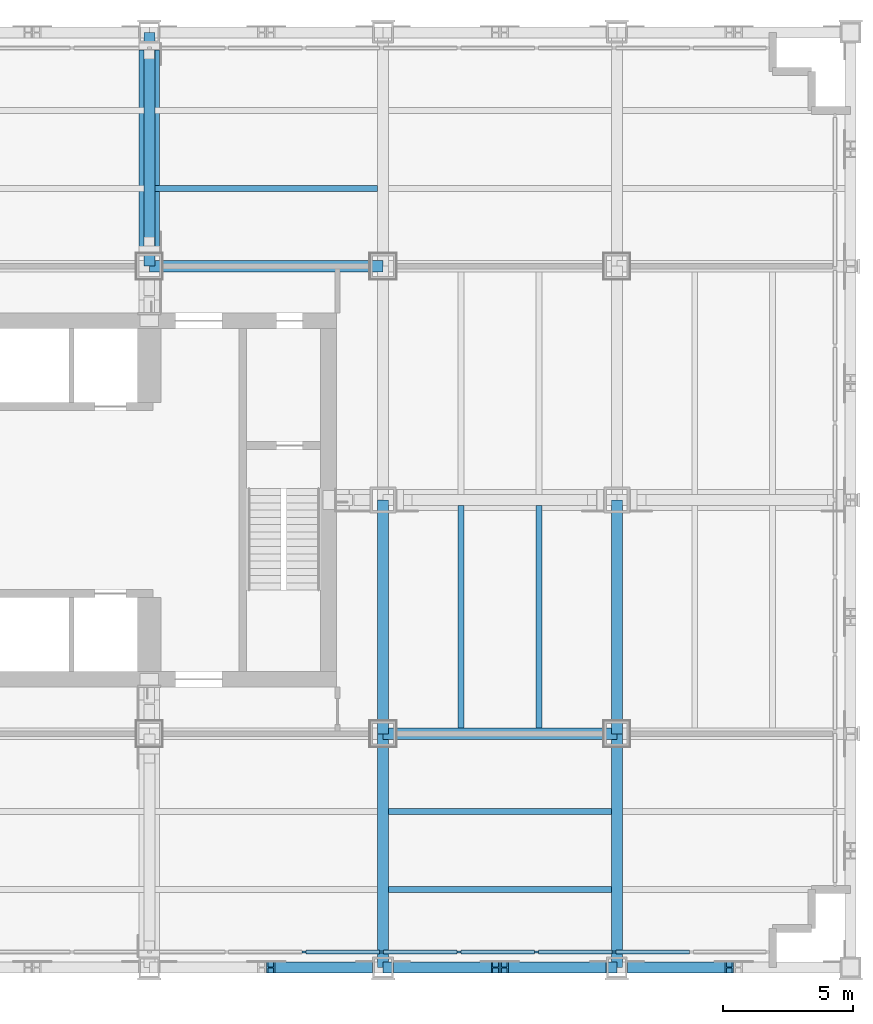
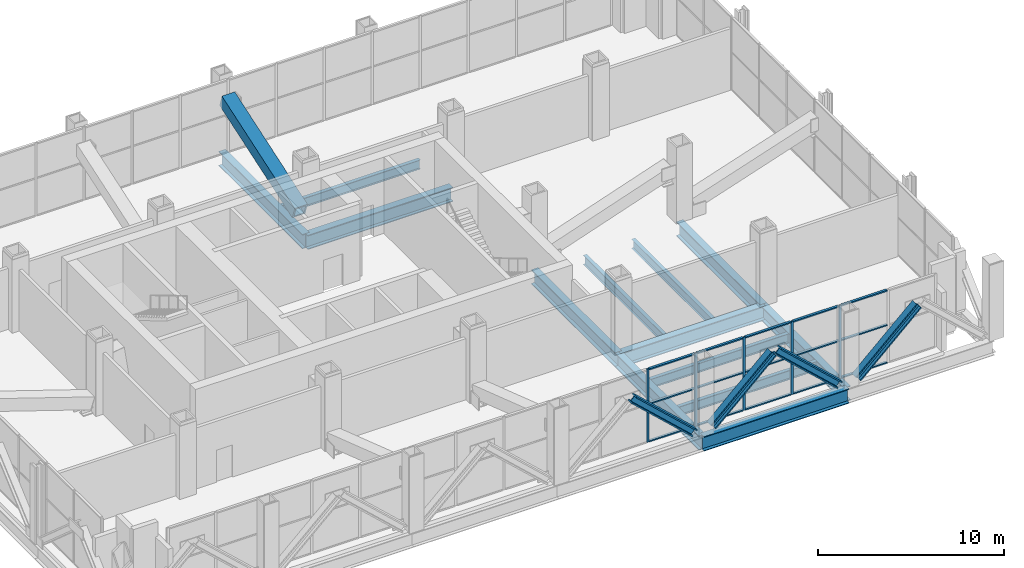
# One storey, part 5 of 19: 25 members, 13 beams, 1 element without a shape of its own.
"""IFC4 building model written with IfcOpenShell, lengths in metres."""

from ifc_helpers import new_model, si_unit, direction, frame, origin, origin_2d, place, context, subcontext, project, spatial, rectangle, hollow_rectangle, i_section, extrude, material, material_profile, profile_set, type_object, element, aggregate, save


model = new_model("IFC4")

# Units and contexts
model_context = context("Model", 3, precision=1e-05, world=origin(), true_north=direction((0.0, 1.0)))
body_context = subcontext(model_context, "Body", "Model", "MODEL_VIEW")
ifc_project = project(units=[si_unit("LENGTHUNIT", "METRE"), si_unit("AREAUNIT", "SQUARE_METRE"), si_unit("VOLUMEUNIT", "CUBIC_METRE"), si_unit("PLANEANGLEUNIT", "RADIAN"), si_unit("MASSUNIT", "GRAM", prefix="KILO")], contexts=[model_context])

# Site, building, storey
site_placement = place(None, origin())
site = spatial("IfcSite", under=ifc_project, at=site_placement, CompositionType="ELEMENT")
building_placement = place(site_placement, origin())
building = spatial("IfcBuilding", under=site, at=building_placement, Name="Loomwork Tower", CompositionType="ELEMENT")
storey_placement = place(building_placement, frame((0.0, 0.0, 89.199951171875)))
storey = spatial("IfcBuildingStorey", under=building, at=storey_placement, Name="L23", CompositionType="ELEMENT", Elevation=89.199951171875)

# Beam
ifc_material_1 = material(Name="Steel ASTM A992", Category="steel")
ifc_material_profile_1 = material_profile(ifc_material_1, i_section(OverallWidth=0.424072265625, OverallDepth=0.947509765625, WebThickness=0.02392578125, FlangeThickness=0.042724609375, at=origin_2d()), Name="W36x302")
ifc_profile_set_1 = profile_set([ifc_material_profile_1], Name="Steel ASTM A992")
beam_type_1 = type_object("IfcBeamType", Name="BELT CHORD SPANDREL W36x302", PredefinedType="SPANDREL", material=ifc_profile_set_1)
beam_1_placement = place(storey_placement, frame((36.0, 0.0, -0.7236328125), z_axis=(1.0, 0.0, 0.0), x_axis=(0.0, 1.0, 0.0)))
element("IfcBeam", 1, at=beam_1_placement, inside=storey, type_object=beam_type_1, Name="Belt Chord Spandrel D/6-D/7 L23", PredefinedType="SPANDREL", context=body_context, shape_type="SweptSolid", body=[
    extrude(i_section(OverallWidth=0.424072265625, OverallDepth=0.947509765625, WebThickness=0.02392578125, FlangeThickness=0.042724609375, at=origin_2d()), origin(), (0.0, 0.0, 1.0), 9.0),
])

# Members
ifc_material_2 = material(Name="Steel ASTM A992", Category="steel")
ifc_material_profile_2 = material_profile(ifc_material_2, i_section(OverallWidth=0.424072265625, OverallDepth=0.47509765625, WebThickness=0.0478515625, FlangeThickness=0.0771484375, at=origin_2d()), Name="W14x426")
ifc_profile_set_2 = profile_set([ifc_material_profile_2], Name="Steel ASTM A992")
member_type_1 = type_object("IfcMemberType", Name="BELT TRUSS DIAGONAL W14x426", PredefinedType="BRACE", material=ifc_profile_set_2)
for number, where, z_axis, x_axis, name in (
    (2, (35.4287109375, 0.0, 0.184326171875), (-0.733437826244, 0.0, 0.679756541001), (0.0, -1.0, 0.0), "Belt truss diagonal D/5-D/6 L23"),
    (3, (36.5712890625, 0.0, 0.184326171875), (0.733437826244, 0.0, 0.679756541001), (0.0, 1.0, 0.0), "Belt truss diagonal D/6-D/7 L23"),
    (4, (44.4287109375, 0.0, 0.184326171875), (-0.733437826244, 0.0, 0.679756541001), (0.0, -1.0, 0.0), "Belt truss diagonal D/6-D/7 L23"),
    (5, (45.5712890625, 0.0, 0.184326171875), (0.733437826244, 0.0, 0.679756541001), (0.0, 1.0, 0.0), "Belt truss diagonal D/7-D/8 L23"),
):
    element("IfcMember", number, at=place(storey_placement, frame(where, z_axis=z_axis, x_axis=x_axis)), inside=storey, type_object=member_type_1, Name=name, PredefinedType="BRACE", context=body_context, shape_type="SweptSolid", body=[
        extrude(i_section(OverallWidth=0.424072265625, OverallDepth=0.47509765625, WebThickness=0.0478515625, FlangeThickness=0.0771484375, at=origin_2d()), origin(), (0.0, 0.0, 1.0), 5.12548828125),
    ])
ifc_material_3 = material(Name="Steel ASTM A572 Grade 50 plate", Category="steel")
ifc_material_profile_3 = material_profile(ifc_material_3, hollow_rectangle(XDim=0.800048828125, YDim=0.800048828125, WallThickness=0.090087890625, at=origin_2d()), Name="BOX800x90")
ifc_profile_set_3 = profile_set([ifc_material_profile_3], Name="Steel ASTM A572 Grade 50 plate")
member_type_2 = type_object("IfcMemberType", Name="OUTRIGGER DIAGONAL BOX800x90", PredefinedType="BRACE", material=ifc_profile_set_3)
member_1_placement = place(storey_placement, frame((27.0, 35.46044921875, 3.46142578125), z_axis=(0.0, -0.947848598928, -0.318720933593), x_axis=(1.0, 0.0, 0.0)))
element("IfcMember", 6, at=member_1_placement, inside=storey, type_object=member_type_2, Name="Outrigger diagonal H/5 L23", PredefinedType="BRACE", context=body_context, shape_type="SweptSolid", body=[
    extrude(hollow_rectangle(XDim=0.800048828125, YDim=0.800048828125, WallThickness=0.090087890625, at=origin_2d()), origin(), (0.0, 0.0, 1.0), 8.25146484375),
])

# Beams
ifc_material_4 = material(Name="Steel ASTM A992", Category="steel")
ifc_material_profile_4 = material_profile(ifc_material_4, i_section(OverallWidth=0.4267578125, OverallDepth=0.939697265625, WebThickness=0.028564453125, FlangeThickness=0.050537109375, at=origin_2d()), Name="W36x361")
ifc_profile_set_4 = profile_set([ifc_material_profile_4], Name="Steel ASTM A992")
beam_type_2 = type_object("IfcBeamType", Name="OUTRIGGER FLOOR GIRDER W36x361", PredefinedType="BEAM", material=ifc_profile_set_4)
for number, where, z_axis, x_axis, name in (
    (7, (36.0, 9.0, -0.719970703125), (1.0, 0.0, 0.0), (0.0, 1.0, 0.0), "Outrigger Floor Girder E/6-E/7 L23"),
    (8, (27.0, 27.0, -0.719970703125), (1.0, 0.0, 0.0), (0.0, 1.0, 0.0), "Outrigger Floor Girder G/5-G/6 L23"),
    (9, (36.0, 0.0, -0.719970703125), (0.0, 1.0, 0.0), (-1.0, 0.0, 0.0), "Outrigger Floor Girder D/6-E/6 L23"),
    (10, (36.0, 9.0, -0.719970703125), (0.0, 1.0, 0.0), (-1.0, 0.0, 0.0), "Outrigger Floor Girder E/6-F/6 L23"),
    (11, (45.0, 0.0, -0.719970703125), (0.0, 1.0, 0.0), (-1.0, 0.0, 0.0), "Outrigger Floor Girder D/7-E/7 L23"),
    (12, (45.0, 9.0, -0.719970703125), (0.0, 1.0, 0.0), (-1.0, 0.0, 0.0), "Outrigger Floor Girder E/7-F/7 L23"),
):
    element("IfcBeam", number, at=place(storey_placement, frame(where, z_axis=z_axis, x_axis=x_axis)), inside=storey, type_object=beam_type_2, Name=name, PredefinedType="BEAM", context=body_context, shape_type="SweptSolid", body=[
        extrude(i_section(OverallWidth=0.4267578125, OverallDepth=0.939697265625, WebThickness=0.028564453125, FlangeThickness=0.050537109375, at=origin_2d()), origin(), (0.0, 0.0, 1.0), 9.0),
    ])
ifc_material_5 = material(Name="Steel ASTM A992", Category="steel")
ifc_material_profile_5 = material_profile(ifc_material_5, i_section(OverallWidth=0.424072265625, OverallDepth=0.947509765625, WebThickness=0.02392578125, FlangeThickness=0.042724609375, at=origin_2d()), Name="W36x302")
ifc_profile_set_5 = profile_set([ifc_material_profile_5], Name="Steel ASTM A992")
beam_type_3 = type_object("IfcBeamType", Name="OUTRIGGER GIRDER W36x302", PredefinedType="BEAM", material=ifc_profile_set_5)
beam_2_placement = place(storey_placement, frame((27.0, 27.0, -0.7236328125), z_axis=(0.0, 1.0, 0.0), x_axis=(-1.0, 0.0, 0.0)))
element("IfcBeam", 13, at=beam_2_placement, inside=storey, type_object=beam_type_3, Name="Outrigger Girder G/5-H/5 L23", PredefinedType="BEAM", context=body_context, shape_type="SweptSolid", body=[
    extrude(i_section(OverallWidth=0.424072265625, OverallDepth=0.947509765625, WebThickness=0.02392578125, FlangeThickness=0.042724609375, at=origin_2d()), origin(), (0.0, 0.0, 1.0), 9.0),
])
ifc_material_6 = material(Name="Steel ASTM A992", Category="steel")
ifc_material_profile_6 = material_profile(ifc_material_6, i_section(OverallWidth=0.228271484375, OverallDepth=0.607177734375, WebThickness=0.01123046875, FlangeThickness=0.017333984375, at=origin_2d()), Name="W24x76")
ifc_profile_set_6 = profile_set([ifc_material_profile_6], Name="Steel ASTM A992")
beam_type_4 = type_object("IfcBeamType", Name="PLANT FLOOR JOIST W24x76", PredefinedType="JOIST", material=ifc_profile_set_6)
beam_3_placement = place(storey_placement, frame((27.2119140625, 30.0, -0.553466796875), z_axis=(1.0, 0.0, 0.0), x_axis=(0.0, 1.0, 0.0)))
element("IfcBeam", 14, at=beam_3_placement, inside=storey, type_object=beam_type_4, Name="Plant Floor Joist 27.000,30.000-36.000,30.000 L23", PredefinedType="JOIST", context=body_context, shape_type="SweptSolid", body=[
    extrude(i_section(OverallWidth=0.228271484375, OverallDepth=0.607177734375, WebThickness=0.01123046875, FlangeThickness=0.017333984375, at=origin_2d()), origin(), (0.0, 0.0, 1.0), 8.5751953125),
])
for number, where, z_axis, x_axis, name in (
    (15, (36.212890625, 3.0, -0.553466796875), (1.0, 0.0, 0.0), (0.0, 1.0, 0.0), "Plant Floor Joist 36.000,3.000-45.000,3.000 L23"),
    (16, (36.212890625, 6.0, -0.553466796875), (1.0, 0.0, 0.0), (0.0, 1.0, 0.0), "Plant Floor Joist 36.000,6.000-45.000,6.000 L23"),
):
    element("IfcBeam", number, at=place(storey_placement, frame(where, z_axis=z_axis, x_axis=x_axis)), inside=storey, type_object=beam_type_4, Name=name, PredefinedType="JOIST", context=body_context, shape_type="SweptSolid", body=[
        extrude(i_section(OverallWidth=0.228271484375, OverallDepth=0.607177734375, WebThickness=0.01123046875, FlangeThickness=0.017333984375, at=origin_2d()), origin(), (0.0, 0.0, 1.0), 8.57421875),
    ])
for number, where, z_axis, x_axis, name in (
    (17, (39.0, 9.212890625, -0.553466796875), (0.0, 1.0, 0.0), (-1.0, 0.0, 0.0), "Plant Floor Joist 39.000,9.000-39.000,18.000 L23"),
    (18, (42.0, 9.212890625, -0.553466796875), (0.0, 1.0, 0.0), (-1.0, 0.0, 0.0), "Plant Floor Joist 42.000,9.000-42.000,18.000 L23"),
):
    element("IfcBeam", number, at=place(storey_placement, frame(where, z_axis=z_axis, x_axis=x_axis)), inside=storey, type_object=beam_type_4, Name=name, PredefinedType="JOIST", context=body_context, shape_type="SweptSolid", body=[
        extrude(i_section(OverallWidth=0.228271484375, OverallDepth=0.607177734375, WebThickness=0.01123046875, FlangeThickness=0.017333984375, at=origin_2d()), origin(), (0.0, 0.0, 1.0), 8.5751953125),
    ])

# Curtain wall, members
ifc_material_7 = material(Name="Aluminium louvre frame", Category="aluminium")
curtain_wall_type = type_object("IfcCurtainWallType", Name="Plant floor louvre screen", PredefinedType="NOTDEFINED", material=ifc_material_7)
curtain_wall_placement = place(storey_placement, origin())
curtain_wall = element("IfcCurtainWall", 19, at=curtain_wall_placement, inside=storey, type_object=curtain_wall_type, Name="Plant floor louvre screen cw/S", PredefinedType="NOTDEFINED")
ifc_material_8 = material(Name="Aluminium louvre frame", Category="aluminium")
ifc_material_profile_7 = material_profile(ifc_material_8, rectangle(XDim=0.080078125, YDim=0.14990234375, at=origin_2d()), Name="AL 80x150")
ifc_profile_set_7 = profile_set([ifc_material_profile_7], Name="Aluminium louvre frame")
member_type_3 = type_object("IfcMemberType", Name="Plant floor louvre screen mullion", PredefinedType="MULLION", material=ifc_profile_set_7)
member_2_placement = place(storey_placement, frame((32.96240234375, 0.60009765625, 0.0), z_axis=(0.0, 0.0, 1.0), x_axis=(0.0, 1.0, 0.0)))
member_2 = element("IfcMember", 20, at=member_2_placement, type_object=member_type_3, Name="CW4 mullion 11", PredefinedType="MULLION", context=body_context, shape_type="SweptSolid", body=[
    extrude(rectangle(XDim=0.080078125, YDim=0.14990234375, at=origin_2d()), origin(), (0.0, 0.0, 1.0), 4.800048828125),
])
member_3_placement = place(storey_placement, frame((35.94384765625, 0.60009765625, 0.0), z_axis=(0.0, 0.0, 1.0), x_axis=(0.0, 1.0, 0.0)))
member_3 = element("IfcMember", 21, at=member_3_placement, type_object=member_type_3, Name="CW4 mullion 12", PredefinedType="MULLION", context=body_context, shape_type="SweptSolid", body=[
    extrude(rectangle(XDim=0.080078125, YDim=0.14990234375, at=origin_2d()), origin(), (0.0, 0.0, 1.0), 4.800048828125),
])
member_4_placement = place(storey_placement, frame((38.925048828125, 0.60009765625, 0.0), z_axis=(0.0, 0.0, 1.0), x_axis=(0.0, 1.0, 0.0)))
member_4 = element("IfcMember", 22, at=member_4_placement, type_object=member_type_3, Name="CW4 mullion 13", PredefinedType="MULLION", context=body_context, shape_type="SweptSolid", body=[
    extrude(rectangle(XDim=0.080078125, YDim=0.14990234375, at=origin_2d()), origin(), (0.0, 0.0, 1.0), 4.800048828125),
])
member_5_placement = place(storey_placement, frame((41.90625, 0.60009765625, 0.0), z_axis=(0.0, 0.0, 1.0), x_axis=(0.0, 1.0, 0.0)))
member_5 = element("IfcMember", 23, at=member_5_placement, type_object=member_type_3, Name="CW4 mullion 14", PredefinedType="MULLION", context=body_context, shape_type="SweptSolid", body=[
    extrude(rectangle(XDim=0.080078125, YDim=0.14990234375, at=origin_2d()), origin(), (0.0, 0.0, 1.0), 4.800048828125),
])
member_6_placement = place(storey_placement, frame((44.887451171875, 0.60009765625, 0.0), z_axis=(0.0, 0.0, 1.0), x_axis=(0.0, 1.0, 0.0)))
member_6 = element("IfcMember", 24, at=member_6_placement, type_object=member_type_3, Name="CW4 mullion 15", PredefinedType="MULLION", context=body_context, shape_type="SweptSolid", body=[
    extrude(rectangle(XDim=0.080078125, YDim=0.14990234375, at=origin_2d()), origin(), (0.0, 0.0, 1.0), 4.800048828125),
])
ifc_material_9 = material(Name="Aluminium louvre frame", Category="aluminium")
ifc_material_profile_8 = material_profile(ifc_material_9, rectangle(XDim=0.14990234375, YDim=0.080078125, at=origin_2d()), Name="AL 80x150")
ifc_profile_set_8 = profile_set([ifc_material_profile_8], Name="Aluminium louvre frame")
member_type_4 = type_object("IfcMemberType", Name="Plant floor louvre screen transom", PredefinedType="USERDEFINED", material=ifc_profile_set_8)
member_7_placement = place(storey_placement, frame((33.03759765625, 0.60009765625, 0.0400390625), z_axis=(1.0, 0.0, 0.0), x_axis=(0.0, 1.0, 0.0)))
member_7 = element("IfcMember", 25, at=member_7_placement, type_object=member_type_4, Name="CW4 transom 11.1", ObjectType="TRANSOM", PredefinedType="USERDEFINED", context=body_context, shape_type="SweptSolid", body=[
    extrude(rectangle(XDim=0.14990234375, YDim=0.080078125, at=origin_2d()), origin(), (0.0, 0.0, 1.0), 2.8310546875),
])
member_8_placement = place(storey_placement, frame((33.03759765625, 0.60009765625, 2.5), z_axis=(1.0, 0.0, 0.0), x_axis=(0.0, 1.0, 0.0)))
member_8 = element("IfcMember", 26, at=member_8_placement, type_object=member_type_4, Name="CW4 transom 11.2", ObjectType="TRANSOM", PredefinedType="USERDEFINED", context=body_context, shape_type="SweptSolid", body=[
    extrude(rectangle(XDim=0.14990234375, YDim=0.080078125, at=origin_2d()), origin(), (0.0, 0.0, 1.0), 2.8310546875),
])
member_9_placement = place(storey_placement, frame((33.03759765625, 0.60009765625, 4.760009765625), z_axis=(1.0, 0.0, 0.0), x_axis=(0.0, 1.0, 0.0)))
member_9 = element("IfcMember", 27, at=member_9_placement, type_object=member_type_4, Name="CW4 transom 11.3", ObjectType="TRANSOM", PredefinedType="USERDEFINED", context=body_context, shape_type="SweptSolid", body=[
    extrude(rectangle(XDim=0.14990234375, YDim=0.080078125, at=origin_2d()), origin(), (0.0, 0.0, 1.0), 2.8310546875),
])
member_10_placement = place(storey_placement, frame((36.018798828125, 0.60009765625, 0.0400390625), z_axis=(1.0, 0.0, 0.0), x_axis=(0.0, 1.0, 0.0)))
member_10 = element("IfcMember", 28, at=member_10_placement, type_object=member_type_4, Name="CW4 transom 12.1", ObjectType="TRANSOM", PredefinedType="USERDEFINED", context=body_context, shape_type="SweptSolid", body=[
    extrude(rectangle(XDim=0.14990234375, YDim=0.080078125, at=origin_2d()), origin(), (0.0, 0.0, 1.0), 2.831298828125),
])
member_11_placement = place(storey_placement, frame((36.018798828125, 0.60009765625, 2.5), z_axis=(1.0, 0.0, 0.0), x_axis=(0.0, 1.0, 0.0)))
member_11 = element("IfcMember", 29, at=member_11_placement, type_object=member_type_4, Name="CW4 transom 12.2", ObjectType="TRANSOM", PredefinedType="USERDEFINED", context=body_context, shape_type="SweptSolid", body=[
    extrude(rectangle(XDim=0.14990234375, YDim=0.080078125, at=origin_2d()), origin(), (0.0, 0.0, 1.0), 2.831298828125),
])
member_12_placement = place(storey_placement, frame((36.018798828125, 0.60009765625, 4.760009765625), z_axis=(1.0, 0.0, 0.0), x_axis=(0.0, 1.0, 0.0)))
member_12 = element("IfcMember", 30, at=member_12_placement, type_object=member_type_4, Name="CW4 transom 12.3", ObjectType="TRANSOM", PredefinedType="USERDEFINED", context=body_context, shape_type="SweptSolid", body=[
    extrude(rectangle(XDim=0.14990234375, YDim=0.080078125, at=origin_2d()), origin(), (0.0, 0.0, 1.0), 2.831298828125),
])
member_13_placement = place(storey_placement, frame((39.0, 0.60009765625, 0.0400390625), z_axis=(1.0, 0.0, 0.0), x_axis=(0.0, 1.0, 0.0)))
member_13 = element("IfcMember", 31, at=member_13_placement, type_object=member_type_4, Name="CW4 transom 13.1", ObjectType="TRANSOM", PredefinedType="USERDEFINED", context=body_context, shape_type="SweptSolid", body=[
    extrude(rectangle(XDim=0.14990234375, YDim=0.080078125, at=origin_2d()), origin(), (0.0, 0.0, 1.0), 2.831298828125),
])
member_14_placement = place(storey_placement, frame((39.0, 0.60009765625, 2.5), z_axis=(1.0, 0.0, 0.0), x_axis=(0.0, 1.0, 0.0)))
member_14 = element("IfcMember", 32, at=member_14_placement, type_object=member_type_4, Name="CW4 transom 13.2", ObjectType="TRANSOM", PredefinedType="USERDEFINED", context=body_context, shape_type="SweptSolid", body=[
    extrude(rectangle(XDim=0.14990234375, YDim=0.080078125, at=origin_2d()), origin(), (0.0, 0.0, 1.0), 2.831298828125),
])
member_15_placement = place(storey_placement, frame((39.0, 0.60009765625, 4.760009765625), z_axis=(1.0, 0.0, 0.0), x_axis=(0.0, 1.0, 0.0)))
member_15 = element("IfcMember", 33, at=member_15_placement, type_object=member_type_4, Name="CW4 transom 13.3", ObjectType="TRANSOM", PredefinedType="USERDEFINED", context=body_context, shape_type="SweptSolid", body=[
    extrude(rectangle(XDim=0.14990234375, YDim=0.080078125, at=origin_2d()), origin(), (0.0, 0.0, 1.0), 2.831298828125),
])
member_16_placement = place(storey_placement, frame((41.981201171875, 0.60009765625, 0.0400390625), z_axis=(1.0, 0.0, 0.0), x_axis=(0.0, 1.0, 0.0)))
member_16 = element("IfcMember", 34, at=member_16_placement, type_object=member_type_4, Name="CW4 transom 14.1", ObjectType="TRANSOM", PredefinedType="USERDEFINED", context=body_context, shape_type="SweptSolid", body=[
    extrude(rectangle(XDim=0.14990234375, YDim=0.080078125, at=origin_2d()), origin(), (0.0, 0.0, 1.0), 2.831298828125),
])
member_17_placement = place(storey_placement, frame((41.981201171875, 0.60009765625, 2.5), z_axis=(1.0, 0.0, 0.0), x_axis=(0.0, 1.0, 0.0)))
member_17 = element("IfcMember", 35, at=member_17_placement, type_object=member_type_4, Name="CW4 transom 14.2", ObjectType="TRANSOM", PredefinedType="USERDEFINED", context=body_context, shape_type="SweptSolid", body=[
    extrude(rectangle(XDim=0.14990234375, YDim=0.080078125, at=origin_2d()), origin(), (0.0, 0.0, 1.0), 2.831298828125),
])
member_18_placement = place(storey_placement, frame((41.981201171875, 0.60009765625, 4.760009765625), z_axis=(1.0, 0.0, 0.0), x_axis=(0.0, 1.0, 0.0)))
member_18 = element("IfcMember", 36, at=member_18_placement, type_object=member_type_4, Name="CW4 transom 14.3", ObjectType="TRANSOM", PredefinedType="USERDEFINED", context=body_context, shape_type="SweptSolid", body=[
    extrude(rectangle(XDim=0.14990234375, YDim=0.080078125, at=origin_2d()), origin(), (0.0, 0.0, 1.0), 2.831298828125),
])
member_19_placement = place(storey_placement, frame((44.96240234375, 0.60009765625, 0.0400390625), z_axis=(1.0, 0.0, 0.0), x_axis=(0.0, 1.0, 0.0)))
member_19 = element("IfcMember", 37, at=member_19_placement, type_object=member_type_4, Name="CW4 transom 15.1", ObjectType="TRANSOM", PredefinedType="USERDEFINED", context=body_context, shape_type="SweptSolid", body=[
    extrude(rectangle(XDim=0.14990234375, YDim=0.080078125, at=origin_2d()), origin(), (0.0, 0.0, 1.0), 2.831298828125),
])
member_20_placement = place(storey_placement, frame((44.96240234375, 0.60009765625, 2.5), z_axis=(1.0, 0.0, 0.0), x_axis=(0.0, 1.0, 0.0)))
member_20 = element("IfcMember", 38, at=member_20_placement, type_object=member_type_4, Name="CW4 transom 15.2", ObjectType="TRANSOM", PredefinedType="USERDEFINED", context=body_context, shape_type="SweptSolid", body=[
    extrude(rectangle(XDim=0.14990234375, YDim=0.080078125, at=origin_2d()), origin(), (0.0, 0.0, 1.0), 2.831298828125),
])
member_21_placement = place(storey_placement, frame((44.96240234375, 0.60009765625, 4.760009765625), z_axis=(1.0, 0.0, 0.0), x_axis=(0.0, 1.0, 0.0)))
member_21 = element("IfcMember", 39, at=member_21_placement, type_object=member_type_4, Name="CW4 transom 15.3", ObjectType="TRANSOM", PredefinedType="USERDEFINED", context=body_context, shape_type="SweptSolid", body=[
    extrude(rectangle(XDim=0.14990234375, YDim=0.080078125, at=origin_2d()), origin(), (0.0, 0.0, 1.0), 2.831298828125),
])
aggregate(curtain_wall, [member_2, member_3, member_4, member_5, member_6, member_7, member_8, member_9, member_10, member_11, member_12, member_13, member_14, member_15, member_16, member_17, member_18, member_19, member_20, member_21])

save(model, "model.ifc")
